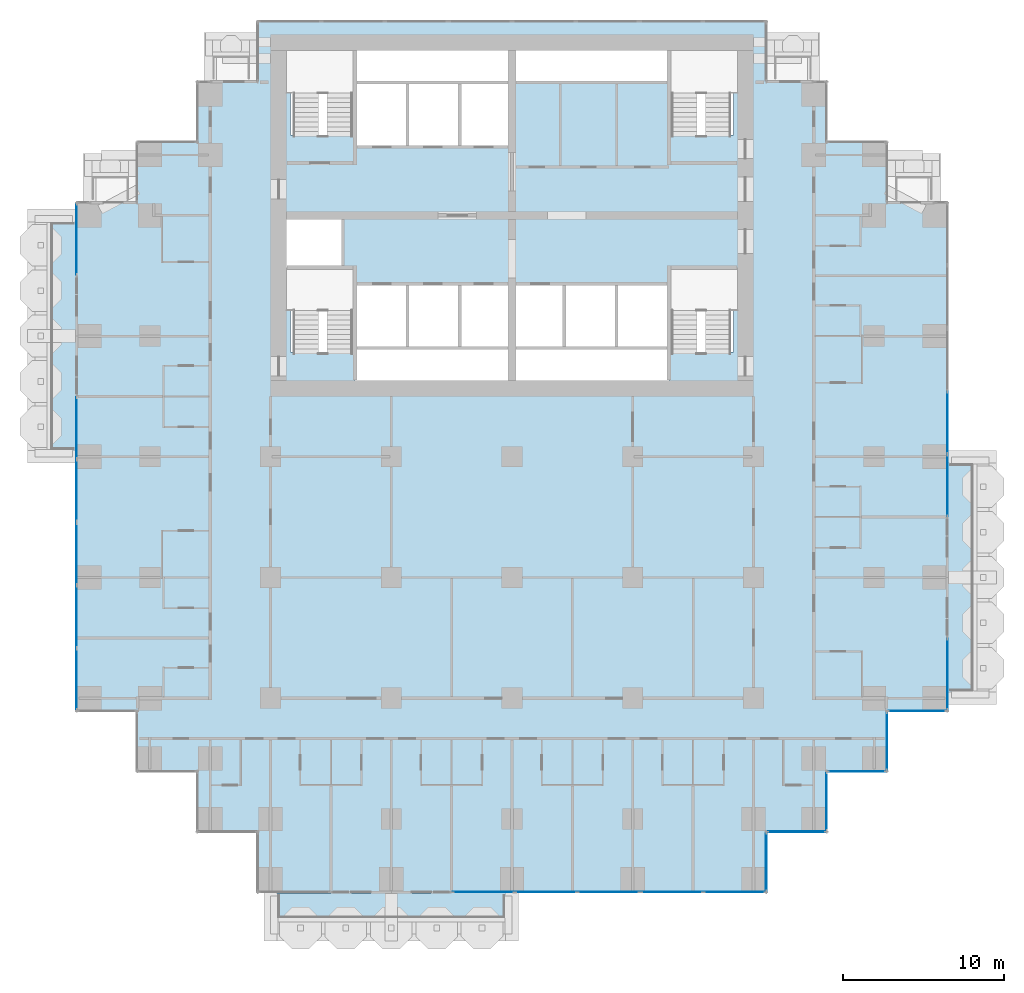
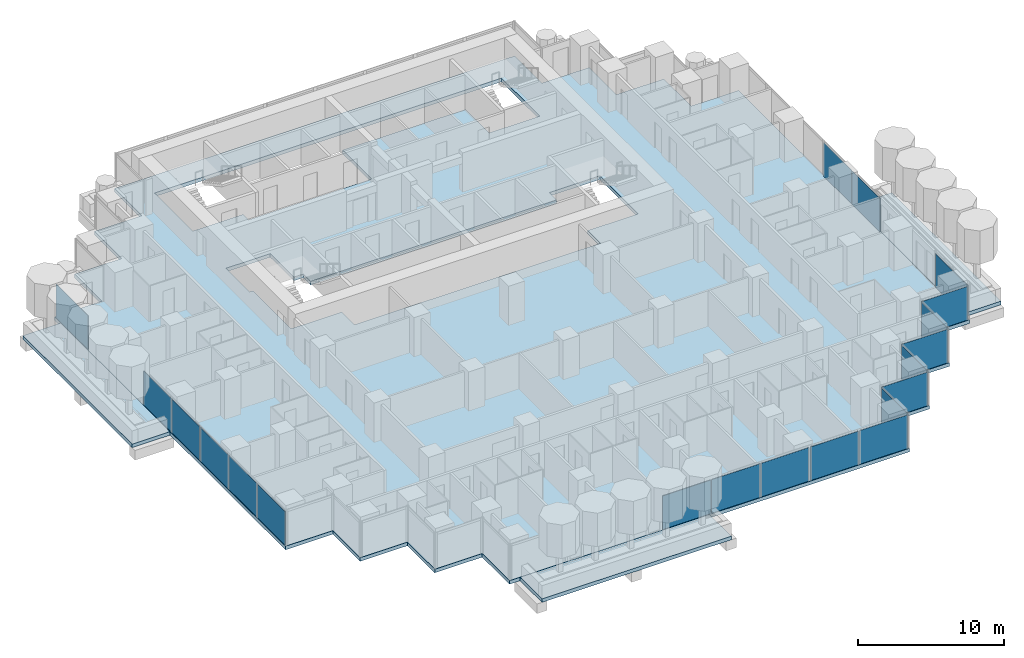
# One storey, part 8 of 19: 20 plates, 4 slabs, 13 elements without a shape of their own.
"""IFC4 building model written with IfcOpenShell, lengths in metres."""

from ifc_helpers import new_model, si_unit, direction, frame, origin, origin_2d, place, context, subcontext, project, spatial, polyline, rectangle, outline, extrude, material, layer, layer_set, type_object, element, aggregate, save


model = new_model("IFC4")

# Units and contexts
model_context = context("Model", 3, precision=1e-05, world=origin(), true_north=direction((0.0, 1.0)))
body_context = subcontext(model_context, "Body", "Model", "MODEL_VIEW")
ifc_project = project(units=[si_unit("LENGTHUNIT", "METRE"), si_unit("AREAUNIT", "SQUARE_METRE"), si_unit("VOLUMEUNIT", "CUBIC_METRE"), si_unit("PLANEANGLEUNIT", "RADIAN"), si_unit("MASSUNIT", "GRAM", prefix="KILO")], contexts=[model_context])

# Site, building, storey
site_placement = place(None, origin())
site = spatial("IfcSite", under=ifc_project, at=site_placement, CompositionType="ELEMENT")
building_placement = place(site_placement, origin())
building = spatial("IfcBuilding", under=site, at=building_placement, Name="Pilkhan Gate Tower", CompositionType="ELEMENT")
storey_placement = place(building_placement, frame((0.0, 0.0, 95.60009765625)))
storey = spatial("IfcBuildingStorey", under=building, at=storey_placement, Name="L23", CompositionType="ELEMENT", Elevation=95.60009765625)

# Slabs
ifc_material_1 = material(Name="Concrete C60/75", Category="concrete")
ifc_layer_1 = layer(ifc_material_1, 0.300048828125)
ifc_layer_set_1 = layer_set([ifc_layer_1], Name="Balcony tray slab TR300")
slab_type_1 = type_object("IfcSlabType", Name="Balcony tray slab TR300", PredefinedType="FLOOR", material=ifc_layer_set_1)
slab_1_placement = place(storey_placement, frame((0.0, 0.0, -0.300048828125)))
element("IfcSlab", 1, at=slab_1_placement, inside=storey, type_object=slab_type_1, Name="Balcony tray L23 S", PredefinedType="FLOOR", context=body_context, shape_type="SweptSolid", body=[
    extrude(outline(polyline([(75.0, 37.39990234375), (75.0, 40.39990234375), (60.0, 40.39990234375), (60.0, 37.39990234375), (75.0, 37.39990234375)])), origin(), (0.0, 0.0, 1.0), 0.300048828125),
])
slab_2_placement = place(storey_placement, frame((0.0, 0.0, -0.300048828125)))
element("IfcSlab", 2, at=slab_2_placement, inside=storey, type_object=slab_type_1, Name="Balcony tray L23 E", PredefinedType="FLOOR", context=body_context, shape_type="SweptSolid", body=[
    extrude(outline(polyline([(105.10009765625, 52.5), (105.10009765625, 67.5), (102.10009765625, 67.5), (102.10009765625, 52.5), (105.10009765625, 52.5)])), origin(), (0.0, 0.0, 1.0), 0.300048828125),
])
slab_3_placement = place(storey_placement, frame((0.0, 0.0, -0.300048828125)))
element("IfcSlab", 3, at=slab_3_placement, inside=storey, type_object=slab_type_1, Name="Balcony tray L23 W", PredefinedType="FLOOR", context=body_context, shape_type="SweptSolid", body=[
    extrude(outline(polyline([(47.89990234375, 67.5), (47.89990234375, 82.5), (44.89990234375, 82.5), (44.89990234375, 67.5), (47.89990234375, 67.5)])), origin(), (0.0, 0.0, 1.0), 0.300048828125),
])
ifc_material_2 = material(Name="Concrete C40/50", Category="concrete")
ifc_layer_2 = layer(ifc_material_2, 0.300048828125)
ifc_layer_set_2 = layer_set([ifc_layer_2], Name="Flat plate slab FP300")
slab_type_2 = type_object("IfcSlabType", Name="Flat plate slab FP300", PredefinedType="FLOOR", material=ifc_layer_set_2)
slab_4_placement = place(storey_placement, frame((0.0, 0.0, -0.300048828125)))
element("IfcSlab", 4, at=slab_4_placement, inside=storey, type_object=slab_type_2, Name="Floor slab L23", PredefinedType="FLOOR", context=body_context, shape_type="SweptSolid", body=[
    extrude(outline(polyline([(98.35009765625, 47.89990234375), (94.60009765625, 47.89990234375), (94.60009765625, 44.14990234375), (90.85009765625, 44.14990234375), (90.85009765625, 40.39990234375), (59.14990234375, 40.39990234375), (59.14990234375, 44.14990234375), (55.39990234375, 44.14990234375), (55.39990234375, 47.89990234375), (51.64990234375, 47.89990234375), (51.64990234375, 51.64990234375), (47.89990234375, 51.64990234375), (47.89990234375, 83.35009765625), (51.64990234375, 83.35009765625), (51.64990234375, 87.10009765625), (55.39990234375, 87.10009765625), (55.39990234375, 90.85009765625), (59.14990234375, 90.85009765625), (59.14990234375, 94.60009765625), (90.85009765625, 94.60009765625), (90.85009765625, 90.85009765625), (94.60009765625, 90.85009765625), (94.60009765625, 87.10009765625), (98.35009765625, 87.10009765625), (98.35009765625, 83.35009765625), (102.10009765625, 83.35009765625), (102.10009765625, 51.64990234375), (98.35009765625, 51.64990234375), (98.35009765625, 47.89990234375)]), holes=[polyline([(65.25, 87.5), (65.25, 86.75), (68.5, 86.75), (71.75, 86.75), (75.0, 86.75), (75.0, 90.75), (84.75, 90.75), (84.75, 87.5), (88.75, 87.5), (88.75, 92.75), (84.75, 92.75), (75.0, 92.75), (65.25, 92.75), (61.25, 92.75), (61.25, 87.5), (65.25, 87.5)]), polyline([(75.0, 72.25), (84.75, 72.25), (84.75, 74.0), (88.75, 74.0), (88.75, 79.25), (84.75, 79.25), (84.75, 78.25), (81.5, 78.25), (78.25, 78.25), (75.0, 78.25), (71.75, 78.25), (68.5, 78.25), (65.25, 78.25), (65.25, 79.25), (64.5, 79.25), (64.5, 82.5), (61.25, 82.5), (61.0, 82.5), (61.0, 79.25), (61.25, 79.25), (61.25, 74.0), (65.25, 74.0), (65.25, 72.25), (75.0, 72.25)])]), origin(), (0.0, 0.0, 1.0), 0.300048828125),
])

# Curtain wall, plate
ifc_material_3 = material(Name="Pale anodised aluminium, clear low-iron double glazing", Category="aluminium")
curtain_wall_type = type_object("IfcCurtainWallType", Name="Hotel unitised curtain wall CW-H", PredefinedType="USERDEFINED", material=ifc_material_3)
curtain_wall_1_placement = place(storey_placement, origin())
curtain_wall_1 = element("IfcCurtainWall", 5, at=curtain_wall_1_placement, inside=storey, type_object=curtain_wall_type, Name="Hotel unitised curtain wall CW-H L23 E", ObjectType="UNITISED CURTAIN WALL", PredefinedType="USERDEFINED")
ifc_material_4 = material(Name="Clear low-iron double glazing", Category="glass")
ifc_layer_3 = layer(ifc_material_4, 0.035888671875)
ifc_layer_set_3 = layer_set([ifc_layer_3], Name="Glass panel CW-H 36")
plate_type = type_object("IfcPlateType", Name="Glass panel CW-H 36", PredefinedType="CURTAIN_PANEL", material=ifc_layer_set_3)
plate_1_placement = place(storey_placement, frame((102.044921875, 53.9775390625, 0.0), z_axis=(0.0, 0.0, 1.0), x_axis=(0.0, 1.0, 0.0)))
plate_1 = element("IfcPlate", 6, at=plate_1_placement, type_object=plate_type, Name="CW-H panel 1", PredefinedType="CURTAIN_PANEL", context=body_context, shape_type="SweptSolid", body=[
    extrude(rectangle(XDim=4.4150390625, YDim=0.035888671875, at=origin_2d()), origin(), (0.0, 0.0, 1.0), 2.820068359375),
])
aggregate(curtain_wall_1, [plate_1])

# Curtain wall, plates
curtain_wall_2_placement = place(storey_placement, origin())
curtain_wall_2 = element("IfcCurtainWall", 7, at=curtain_wall_2_placement, inside=storey, type_object=curtain_wall_type, Name="Hotel unitised curtain wall CW-H L23 E", ObjectType="UNITISED CURTAIN WALL", PredefinedType="USERDEFINED")
plate_2_placement = place(storey_placement, frame((102.044921875, 65.720703125, 0.0), z_axis=(0.0, 0.0, 1.0), x_axis=(0.0, 1.0, 0.0)))
plate_2 = element("IfcPlate", 8, at=plate_2_placement, type_object=plate_type, Name="CW-H panel 1", PredefinedType="CURTAIN_PANEL", context=body_context, shape_type="SweptSolid", body=[
    extrude(rectangle(XDim=3.8115234375, YDim=0.035888671875, at=origin_2d()), origin(), (0.0, 0.0, 1.0), 2.820068359375),
])
plate_3_placement = place(storey_placement, frame((102.044921875, 69.613525390625, 0.0), z_axis=(0.0, 0.0, 1.0), x_axis=(0.0, 1.0, 0.0)))
plate_3 = element("IfcPlate", 9, at=plate_3_placement, type_object=plate_type, Name="CW-H panel 2", PredefinedType="CURTAIN_PANEL", context=body_context, shape_type="SweptSolid", body=[
    extrude(rectangle(XDim=3.843994140625, YDim=0.035888671875, at=origin_2d()), origin(), (0.0, 0.0, 1.0), 2.820068359375),
])
aggregate(curtain_wall_2, [plate_2, plate_3])

curtain_wall_3_placement = place(storey_placement, origin())
curtain_wall_3 = element("IfcCurtainWall", 10, at=curtain_wall_3_placement, inside=storey, type_object=curtain_wall_type, Name="Hotel unitised curtain wall CW-H L23 W", ObjectType="UNITISED CURTAIN WALL", PredefinedType="USERDEFINED")
plate_4_placement = place(storey_placement, frame((47.955078125, 53.67578125, 0.0), z_axis=(0.0, 0.0, 1.0), x_axis=(0.0, 1.0, 0.0)))
plate_4 = element("IfcPlate", 11, at=plate_4_placement, type_object=plate_type, Name="CW-H panel 1", PredefinedType="CURTAIN_PANEL", context=body_context, shape_type="SweptSolid", body=[
    extrude(rectangle(XDim=3.8115234375, YDim=0.035888671875, at=origin_2d()), origin(), (0.0, 0.0, 1.0), 2.820068359375),
])
plate_5_placement = place(storey_placement, frame((47.955078125, 57.568603515625, 0.0), z_axis=(0.0, 0.0, 1.0), x_axis=(0.0, 1.0, 0.0)))
plate_5 = element("IfcPlate", 12, at=plate_5_placement, type_object=plate_type, Name="CW-H panel 2", PredefinedType="CURTAIN_PANEL", context=body_context, shape_type="SweptSolid", body=[
    extrude(rectangle(XDim=3.843994140625, YDim=0.035888671875, at=origin_2d()), origin(), (0.0, 0.0, 1.0), 2.820068359375),
])
plate_6_placement = place(storey_placement, frame((47.955078125, 61.461181640625, 0.0), z_axis=(0.0, 0.0, 1.0), x_axis=(0.0, 1.0, 0.0)))
plate_6 = element("IfcPlate", 13, at=plate_6_placement, type_object=plate_type, Name="CW-H panel 3", PredefinedType="CURTAIN_PANEL", context=body_context, shape_type="SweptSolid", body=[
    extrude(rectangle(XDim=3.8115234375, YDim=0.035888671875, at=origin_2d()), origin(), (0.0, 0.0, 1.0), 2.820068359375),
])
aggregate(curtain_wall_3, [plate_4, plate_5, plate_6])

curtain_wall_4_placement = place(storey_placement, origin())
curtain_wall_4 = element("IfcCurtainWall", 14, at=curtain_wall_4_placement, inside=storey, type_object=curtain_wall_type, Name="Hotel unitised curtain wall CW-H L23 W", ObjectType="UNITISED CURTAIN WALL", PredefinedType="USERDEFINED")
plate_7_placement = place(storey_placement, frame((47.955078125, 65.40283203125, 0.0), z_axis=(0.0, 0.0, 1.0), x_axis=(0.0, 1.0, 0.0)))
plate_7 = element("IfcPlate", 15, at=plate_7_placement, type_object=plate_type, Name="CW-H panel 1", PredefinedType="CURTAIN_PANEL", context=body_context, shape_type="SweptSolid", body=[
    extrude(rectangle(XDim=3.8115234375, YDim=0.035888671875, at=origin_2d()), origin(), (0.0, 0.0, 1.0), 2.820068359375),
])
plate_8_placement = place(storey_placement, frame((47.955078125, 69.279296875, 0.0), z_axis=(0.0, 0.0, 1.0), x_axis=(0.0, 1.0, 0.0)))
plate_8 = element("IfcPlate", 16, at=plate_8_placement, type_object=plate_type, Name="CW-H panel 2", PredefinedType="CURTAIN_PANEL", context=body_context, shape_type="SweptSolid", body=[
    extrude(rectangle(XDim=3.8115234375, YDim=0.035888671875, at=origin_2d()), origin(), (0.0, 0.0, 1.0), 2.820068359375),
])
aggregate(curtain_wall_4, [plate_7, plate_8])

# Curtain wall, plate
curtain_wall_5_placement = place(storey_placement, origin())
curtain_wall_5 = element("IfcCurtainWall", 17, at=curtain_wall_5_placement, inside=storey, type_object=curtain_wall_type, Name="Hotel unitised curtain wall CW-H L23 W", ObjectType="UNITISED CURTAIN WALL", PredefinedType="USERDEFINED")
plate_9_placement = place(storey_placement, frame((47.955078125, 81.0224609375, 0.0), z_axis=(0.0, 0.0, 1.0), x_axis=(0.0, 1.0, 0.0)))
plate_9 = element("IfcPlate", 18, at=plate_9_placement, type_object=plate_type, Name="CW-H panel 1", PredefinedType="CURTAIN_PANEL", context=body_context, shape_type="SweptSolid", body=[
    extrude(rectangle(XDim=4.4150390625, YDim=0.035888671875, at=origin_2d()), origin(), (0.0, 0.0, 1.0), 2.820068359375),
])
aggregate(curtain_wall_5, [plate_9])

# Curtain wall, plates
curtain_wall_6_placement = place(storey_placement, origin())
curtain_wall_6 = element("IfcCurtainWall", 19, at=curtain_wall_6_placement, inside=storey, type_object=curtain_wall_type, Name="Hotel unitised curtain wall CW-H L23 S", ObjectType="UNITISED CURTAIN WALL", PredefinedType="USERDEFINED")
plate_10_placement = place(storey_placement, frame((73.220703125, 40.455078125, 0.0), z_axis=(0.0, 0.0, 1.0), x_axis=(1.0, 0.0, 0.0)))
plate_10 = element("IfcPlate", 20, at=plate_10_placement, type_object=plate_type, Name="CW-H panel 1", PredefinedType="CURTAIN_PANEL", context=body_context, shape_type="SweptSolid", body=[
    extrude(rectangle(XDim=3.8115234375, YDim=0.035888671875, at=origin_2d()), origin(), (0.0, 0.0, 1.0), 2.820068359375),
])
plate_11_placement = place(storey_placement, frame((77.113525390625, 40.455078125, 0.0), z_axis=(0.0, 0.0, 1.0), x_axis=(1.0, 0.0, 0.0)))
plate_11 = element("IfcPlate", 21, at=plate_11_placement, type_object=plate_type, Name="CW-H panel 2", PredefinedType="CURTAIN_PANEL", context=body_context, shape_type="SweptSolid", body=[
    extrude(rectangle(XDim=3.843994140625, YDim=0.035888671875, at=origin_2d()), origin(), (0.0, 0.0, 1.0), 2.820068359375),
])
plate_12_placement = place(storey_placement, frame((81.00634765625, 40.455078125, 0.0), z_axis=(0.0, 0.0, 1.0), x_axis=(1.0, 0.0, 0.0)))
plate_12 = element("IfcPlate", 22, at=plate_12_placement, type_object=plate_type, Name="CW-H panel 3", PredefinedType="CURTAIN_PANEL", context=body_context, shape_type="SweptSolid", body=[
    extrude(rectangle(XDim=3.8115234375, YDim=0.035888671875, at=origin_2d()), origin(), (0.0, 0.0, 1.0), 2.820068359375),
])
aggregate(curtain_wall_6, [plate_10, plate_11, plate_12])

curtain_wall_7_placement = place(storey_placement, origin())
curtain_wall_7 = element("IfcCurtainWall", 23, at=curtain_wall_7_placement, inside=storey, type_object=curtain_wall_type, Name="Hotel unitised curtain wall CW-H L23 S", ObjectType="UNITISED CURTAIN WALL", PredefinedType="USERDEFINED")
plate_13_placement = place(storey_placement, frame((84.94775390625, 40.455078125, 0.0), z_axis=(0.0, 0.0, 1.0), x_axis=(1.0, 0.0, 0.0)))
plate_13 = element("IfcPlate", 24, at=plate_13_placement, type_object=plate_type, Name="CW-H panel 1", PredefinedType="CURTAIN_PANEL", context=body_context, shape_type="SweptSolid", body=[
    extrude(rectangle(XDim=3.8115234375, YDim=0.035888671875, at=origin_2d()), origin(), (0.0, 0.0, 1.0), 2.820068359375),
])
plate_14_placement = place(storey_placement, frame((88.82421875, 40.455078125, 0.0), z_axis=(0.0, 0.0, 1.0), x_axis=(1.0, 0.0, 0.0)))
plate_14 = element("IfcPlate", 25, at=plate_14_placement, type_object=plate_type, Name="CW-H panel 2", PredefinedType="CURTAIN_PANEL", context=body_context, shape_type="SweptSolid", body=[
    extrude(rectangle(XDim=3.8115234375, YDim=0.035888671875, at=origin_2d()), origin(), (0.0, 0.0, 1.0), 2.820068359375),
])
aggregate(curtain_wall_7, [plate_13, plate_14])

# Curtain wall, plate
curtain_wall_8_placement = place(storey_placement, origin())
curtain_wall_8 = element("IfcCurtainWall", 26, at=curtain_wall_8_placement, inside=storey, type_object=curtain_wall_type, Name="Hotel unitised curtain wall CW-H L23 E", ObjectType="UNITISED CURTAIN WALL", PredefinedType="USERDEFINED")
plate_15_placement = place(storey_placement, frame((90.794921875, 42.330078125, 0.0), z_axis=(0.0, 0.0, 1.0), x_axis=(0.0, 1.0, 0.0)))
plate_15 = element("IfcPlate", 27, at=plate_15_placement, type_object=plate_type, Name="CW-H panel 1", PredefinedType="CURTAIN_PANEL", context=body_context, shape_type="SweptSolid", body=[
    extrude(rectangle(XDim=3.6201171875, YDim=0.035888671875, at=origin_2d()), origin(), (0.0, 0.0, 1.0), 2.820068359375),
])
aggregate(curtain_wall_8, [plate_15])

curtain_wall_9_placement = place(storey_placement, origin())
curtain_wall_9 = element("IfcCurtainWall", 28, at=curtain_wall_9_placement, inside=storey, type_object=curtain_wall_type, Name="Hotel unitised curtain wall CW-H L23 S", ObjectType="UNITISED CURTAIN WALL", PredefinedType="USERDEFINED")
plate_16_placement = place(storey_placement, frame((92.669921875, 44.205078125, 0.0), z_axis=(0.0, 0.0, 1.0), x_axis=(1.0, 0.0, 0.0)))
plate_16 = element("IfcPlate", 29, at=plate_16_placement, type_object=plate_type, Name="CW-H panel 1", PredefinedType="CURTAIN_PANEL", context=body_context, shape_type="SweptSolid", body=[
    extrude(rectangle(XDim=3.6201171875, YDim=0.035888671875, at=origin_2d()), origin(), (0.0, 0.0, 1.0), 2.820068359375),
])
aggregate(curtain_wall_9, [plate_16])

curtain_wall_10_placement = place(storey_placement, origin())
curtain_wall_10 = element("IfcCurtainWall", 30, at=curtain_wall_10_placement, inside=storey, type_object=curtain_wall_type, Name="Hotel unitised curtain wall CW-H L23 E", ObjectType="UNITISED CURTAIN WALL", PredefinedType="USERDEFINED")
plate_17_placement = place(storey_placement, frame((94.544921875, 46.080078125, 0.0), z_axis=(0.0, 0.0, 1.0), x_axis=(0.0, 1.0, 0.0)))
plate_17 = element("IfcPlate", 31, at=plate_17_placement, type_object=plate_type, Name="CW-H panel 1", PredefinedType="CURTAIN_PANEL", context=body_context, shape_type="SweptSolid", body=[
    extrude(rectangle(XDim=3.6201171875, YDim=0.035888671875, at=origin_2d()), origin(), (0.0, 0.0, 1.0), 2.820068359375),
])
aggregate(curtain_wall_10, [plate_17])

curtain_wall_11_placement = place(storey_placement, origin())
curtain_wall_11 = element("IfcCurtainWall", 32, at=curtain_wall_11_placement, inside=storey, type_object=curtain_wall_type, Name="Hotel unitised curtain wall CW-H L23 S", ObjectType="UNITISED CURTAIN WALL", PredefinedType="USERDEFINED")
plate_18_placement = place(storey_placement, frame((96.419921875, 47.955078125, 0.0), z_axis=(0.0, 0.0, 1.0), x_axis=(1.0, 0.0, 0.0)))
plate_18 = element("IfcPlate", 33, at=plate_18_placement, type_object=plate_type, Name="CW-H panel 1", PredefinedType="CURTAIN_PANEL", context=body_context, shape_type="SweptSolid", body=[
    extrude(rectangle(XDim=3.6201171875, YDim=0.035888671875, at=origin_2d()), origin(), (0.0, 0.0, 1.0), 2.820068359375),
])
aggregate(curtain_wall_11, [plate_18])

curtain_wall_12_placement = place(storey_placement, origin())
curtain_wall_12 = element("IfcCurtainWall", 34, at=curtain_wall_12_placement, inside=storey, type_object=curtain_wall_type, Name="Hotel unitised curtain wall CW-H L23 E", ObjectType="UNITISED CURTAIN WALL", PredefinedType="USERDEFINED")
plate_19_placement = place(storey_placement, frame((98.294921875, 49.830078125, 0.0), z_axis=(0.0, 0.0, 1.0), x_axis=(0.0, 1.0, 0.0)))
plate_19 = element("IfcPlate", 35, at=plate_19_placement, type_object=plate_type, Name="CW-H panel 1", PredefinedType="CURTAIN_PANEL", context=body_context, shape_type="SweptSolid", body=[
    extrude(rectangle(XDim=3.6201171875, YDim=0.035888671875, at=origin_2d()), origin(), (0.0, 0.0, 1.0), 2.820068359375),
])
aggregate(curtain_wall_12, [plate_19])

curtain_wall_13_placement = place(storey_placement, origin())
curtain_wall_13 = element("IfcCurtainWall", 36, at=curtain_wall_13_placement, inside=storey, type_object=curtain_wall_type, Name="Hotel unitised curtain wall CW-H L23 S", ObjectType="UNITISED CURTAIN WALL", PredefinedType="USERDEFINED")
plate_20_placement = place(storey_placement, frame((100.169921875, 51.705078125, 0.0), z_axis=(0.0, 0.0, 1.0), x_axis=(1.0, 0.0, 0.0)))
plate_20 = element("IfcPlate", 37, at=plate_20_placement, type_object=plate_type, Name="CW-H panel 1", PredefinedType="CURTAIN_PANEL", context=body_context, shape_type="SweptSolid", body=[
    extrude(rectangle(XDim=3.6201171875, YDim=0.035888671875, at=origin_2d()), origin(), (0.0, 0.0, 1.0), 2.820068359375),
])
aggregate(curtain_wall_13, [plate_20])

save(model, "model.ifc")
